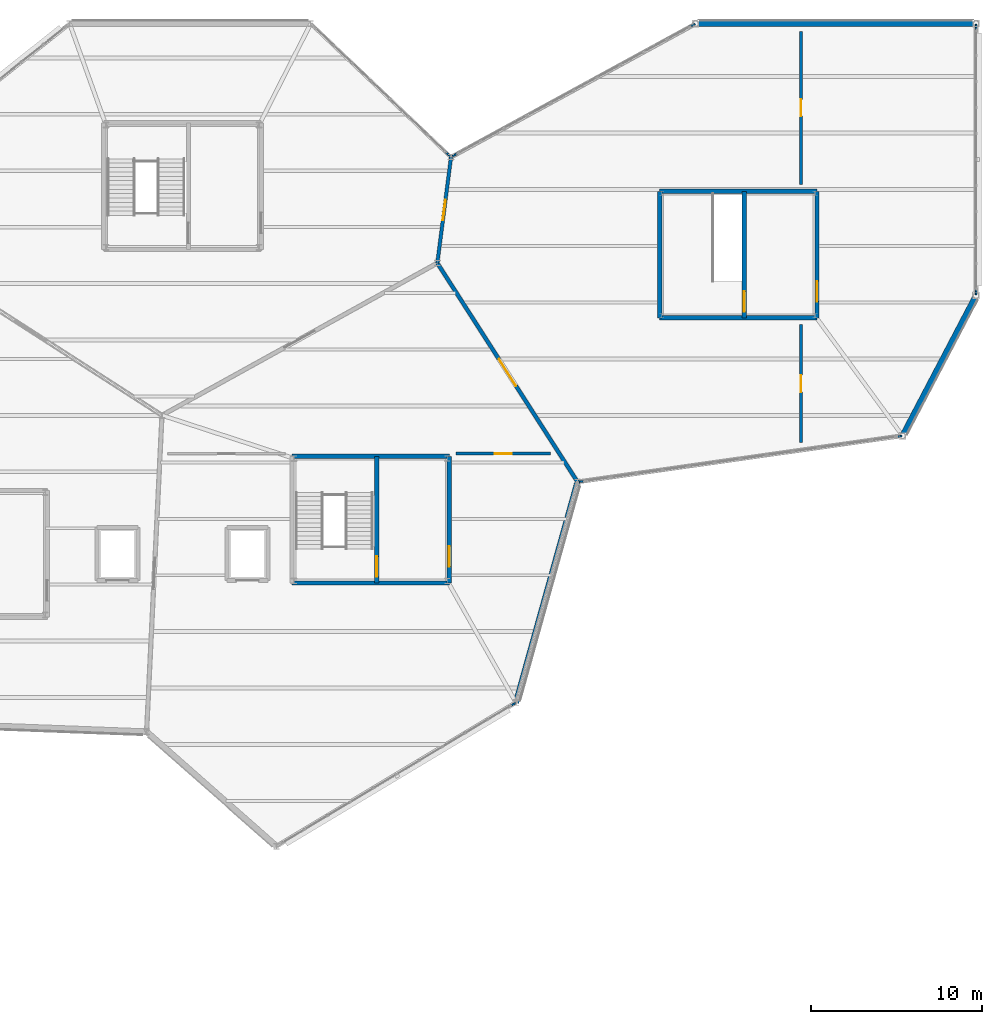
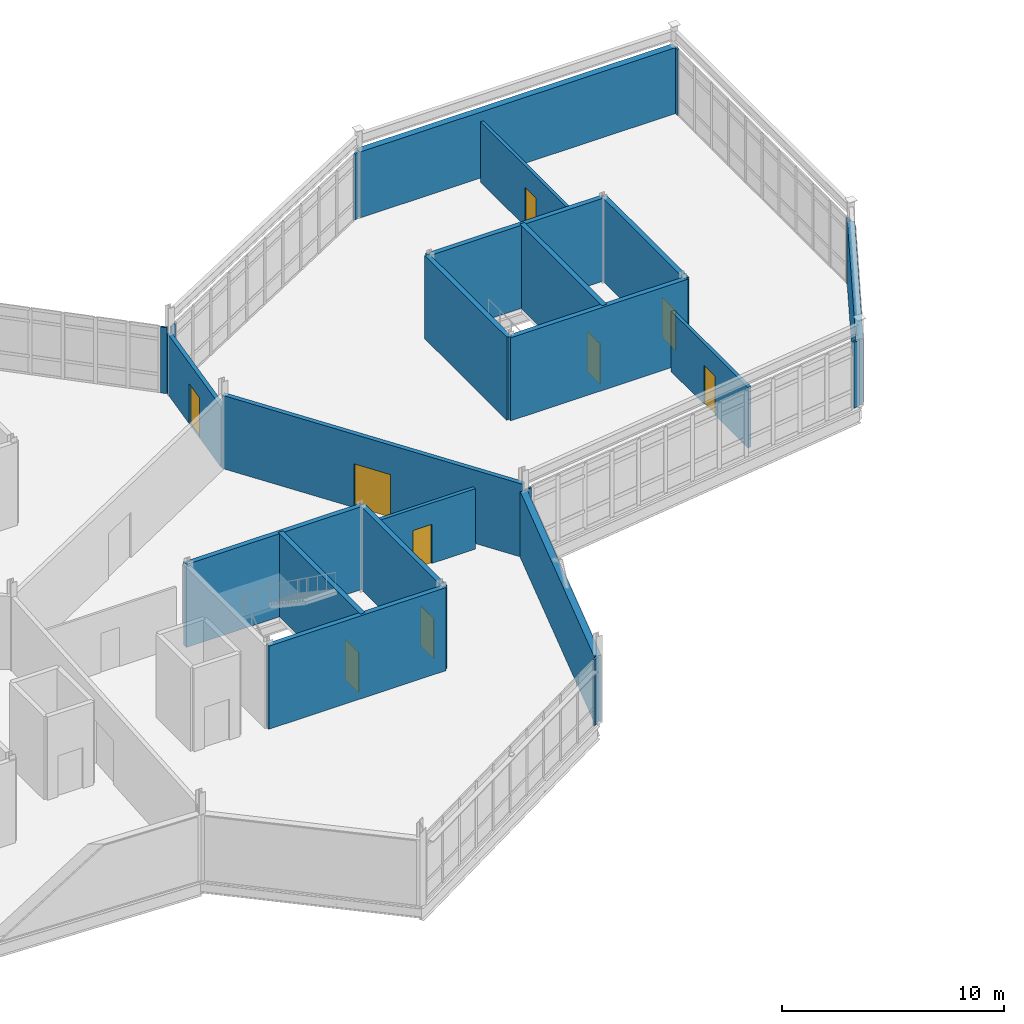
# One storey, part 99 of 114: 25 walls, 9 doors, 9 openings.
"""IFC4 building model written with IfcOpenShell, lengths in metres."""

from ifc_helpers import new_model, si_unit, direction, frame, frame_2d, origin, place, context, subcontext, project, spatial, rectangle, extrude, material, layer, layer_set, type_object, element, fill, save


model = new_model("IFC4")

# Units and contexts
model_context = context("Model", 3, precision=1e-05, world=origin(), true_north=direction((0.0, 1.0)))
body_context = subcontext(model_context, "Body", "Model", "MODEL_VIEW")
ifc_project = project(units=[si_unit("LENGTHUNIT", "METRE"), si_unit("AREAUNIT", "SQUARE_METRE"), si_unit("VOLUMEUNIT", "CUBIC_METRE"), si_unit("PLANEANGLEUNIT", "RADIAN"), si_unit("MASSUNIT", "GRAM", prefix="KILO")], contexts=[model_context])

# Site, building, storey
site_placement = place(None, origin())
site = spatial("IfcSite", under=ifc_project, at=site_placement, CompositionType="ELEMENT")
building_placement = place(site_placement, origin())
building = spatial("IfcBuilding", under=site, at=building_placement, Name="Tameran Prism Museum", CompositionType="ELEMENT")
storey_placement = place(building_placement, frame((0.0, 0.0, 10.199951171875)))
storey = spatial("IfcBuildingStorey", under=building, at=storey_placement, Name="L02", CompositionType="ELEMENT", Elevation=10.199951171875)

# Walls
ifc_material_1 = material(Name="Precast Concrete N40 (40 MPa)", Category="concrete")
ifc_layer_1 = layer(ifc_material_1, 0.094970703125)
ifc_layer_set_1 = layer_set([ifc_layer_1])
wall_type_1 = type_object("IfcWallType", Name="EW-CLOS-095", PredefinedType="SOLIDWALL", material=ifc_layer_set_1)
wall_1_placement = place(storey_placement, frame((139.464111328125, 72.278076171875, 0.0), z_axis=(0.0, 0.0, 1.0), x_axis=(-0.858261853705, -0.513212032668, 0.0)))
element("IfcWall", 1, at=wall_1_placement, inside=storey, type_object=wall_type_1, Name="Facade Corner Closure EW-0275", PredefinedType="SOLIDWALL", context=body_context, shape_type="SweptSolid", body=[
    extrude(rectangle(XDim=0.307861328125, YDim=0.094970703125, at=frame_2d((0.15380859375, 0.0))), origin(), (0.0, 0.0, 1.0), 3.6201171875),
])
wall_2_placement = place(storey_placement, frame((135.403076171875, 104.48193359375, 0.0), z_axis=(0.0, 0.0, 1.0), x_axis=(0.726243974232, -0.687437044311, 0.0)))
element("IfcWall", 2, at=wall_2_placement, inside=storey, type_object=wall_type_1, Name="Facade Corner Closure EW-0279", PredefinedType="SOLIDWALL", context=body_context, shape_type="SweptSolid", body=[
    extrude(rectangle(XDim=0.308349609375, YDim=0.094970703125, at=frame_2d((0.154296875, 0.0))), origin(), (0.0, 0.0, 1.0), 3.6201171875),
])
for number, where, z_axis, x_axis, name in (
    (3, (162.05810546875, 87.89404296875, 0.0), (0.0, 0.0, 1.0), (-0.990232667812, -0.139424759628, 0.0), "Facade Corner Closure EW-0284"),
    (4, (143.506103515625, 85.257080078125, 0.0), (0.0, 0.0, 1.0), (-0.990232667812, -0.139424759628, 0.0), "Facade Corner Closure EW-0285"),
    (5, (166.39990234375, 111.9580078125, 0.0), (0.0, 0.0, 1.0), (0.0, -1.0, 0.0), "Facade Corner Closure EW-0287"),
):
    element("IfcWall", number, at=place(storey_placement, frame(where, z_axis=z_axis, x_axis=x_axis)), inside=storey, type_object=wall_type_1, Name=name, PredefinedType="SOLIDWALL", context=body_context, shape_type="SweptSolid", body=[
        extrude(rectangle(XDim=0.30810546875, YDim=0.094970703125, at=frame_2d((0.154052734375, 0.0))), origin(), (0.0, 0.0, 1.0), 3.6201171875),
    ])
for number, where, z_axis, x_axis, name in (
    (6, (166.39990234375, 96.449951171875, 0.0), (0.0, 0.0, 1.0), (0.0, -1.0, 0.0), "Facade Corner Closure EW-0288"),
    (7, (135.7900390625, 104.2490234375, 0.0), (0.0, 0.0, 1.0), (0.876984894636, 0.480517944077, 0.0), "Facade Corner Closure EW-0290"),
):
    element("IfcWall", number, at=place(storey_placement, frame(where, z_axis=z_axis, x_axis=x_axis)), inside=storey, type_object=wall_type_1, Name=name, PredefinedType="SOLIDWALL", context=body_context, shape_type="SweptSolid", body=[
        extrude(rectangle(XDim=0.307861328125, YDim=0.094970703125, at=frame_2d((0.15380859375, 0.0))), origin(), (0.0, 0.0, 1.0), 3.6201171875),
    ])
wall_3_placement = place(storey_placement, frame((149.693115234375, 111.83203125, 0.0), z_axis=(0.0, 0.0, 1.0), x_axis=(0.876801617046, 0.480852289529, 0.0)))
element("IfcWall", 8, at=wall_3_placement, inside=storey, type_object=wall_type_1, Name="Facade Corner Closure EW-0291", PredefinedType="SOLIDWALL", context=body_context, shape_type="SweptSolid", body=[
    extrude(rectangle(XDim=0.3076171875, YDim=0.094970703125, at=frame_2d((0.15380859375, 0.0))), origin(), (0.0, 0.0, 1.0), 3.6201171875),
])
ifc_material_2 = material(Name="Precast Concrete N40 (40 MPa)", Category="concrete")
ifc_layer_2 = layer(ifc_material_2, 0.340087890625)
ifc_layer_set_2 = layer_set([ifc_layer_2])
wall_type_2 = type_object("IfcWallType", Name="EW-GAL-340", PredefinedType="SOLIDWALL", material=ifc_layer_set_2)
wall_4_placement = place(storey_placement, frame((143.083984375, 85.14208984375, 0.0), z_axis=(0.0, 0.0, 1.0), x_axis=(-0.268810029922, -0.963193214165, 0.0)))
element("IfcWall", 9, at=wall_4_placement, inside=storey, type_object=wall_type_2, Name="Exterior Fluted Precast Wall EW-0277", PredefinedType="SOLIDWALL", context=body_context, shape_type="SweptSolid", body=[
    extrude(rectangle(XDim=13.332763671875, YDim=0.340087890625, at=frame_2d((6.66650390625, 0.0))), origin(), (0.0, 0.0, 1.0), 3.6201171875),
])
wall_5_placement = place(storey_placement, frame((166.39990234375, 96.10009765625, 0.0), z_axis=(0.0, 0.0, 1.0), x_axis=(-0.464385293852, -0.885633275602, 0.0)))
element("IfcWall", 10, at=wall_5_placement, inside=storey, type_object=wall_type_2, Name="Exterior Fluted Precast Wall EW-0286", PredefinedType="SOLIDWALL", context=body_context, shape_type="SweptSolid", body=[
    extrude(rectangle(XDim=9.259033203125, YDim=0.340087890625, at=frame_2d((4.62939453125, 0.0))), origin(), (0.0, 0.0, 1.0), 3.6201171875),
])
wall_6_placement = place(storey_placement, frame((150.0, 112.0, 0.0), z_axis=(0.0, 0.0, 1.0), x_axis=(1.0, 0.0, 0.0)))
element("IfcWall", 11, at=wall_6_placement, inside=storey, type_object=wall_type_2, Name="Exterior Fluted Precast Wall EW-0289", PredefinedType="SOLIDWALL", context=body_context, shape_type="SweptSolid", body=[
    extrude(rectangle(XDim=16.39990234375, YDim=0.340087890625, at=frame_2d((8.199951171875, 0.0))), origin(), (0.0, 0.0, 1.0), 3.6201171875),
])

# Wall, opening, door
ifc_material_3 = material(Name="Concrete N32 (32 MPa)", Category="concrete")
ifc_layer_3 = layer(ifc_material_3, 0.205078125)
ifc_layer_set_3 = layer_set([ifc_layer_3])
wall_type_3 = type_object("IfcWallType", Name="IW-CMP-205", PredefinedType="SOLIDWALL", material=ifc_layer_set_3)
wall_7_placement = place(storey_placement, frame((134.89990234375, 98.0, 0.0), z_axis=(0.0, 0.0, 1.0), x_axis=(0.127980011854, 0.991776747341, 0.0)))
wall_7 = element("IfcWall", 12, at=wall_7_placement, inside=storey, type_object=wall_type_3, Name="Compartment Wall IW-0115", PredefinedType="SOLIDWALL", context=body_context, shape_type="SweptSolid", body=[
    extrude(rectangle(XDim=6.25146484375, YDim=0.205078125, at=frame_2d((3.125732421875, 0.0))), origin(), (0.0, 0.0, 1.0), 3.320068359375),
])
opening_1_placement = place(wall_7_placement, frame((2.52587890625, 0.0, 0.0)))
opening_1 = element("IfcOpeningElement", 13, at=opening_1_placement, cuts=wall_7, Name="Opening ID-0114", PredefinedType="OPENING", context=body_context, shape_type="SweptSolid", body=[
    extrude(rectangle(XDim=1.199951171875, YDim=2.199951171875, at=frame_2d((0.60009765625, 1.10009765625))), frame((0.0, 0.112548828125, 0.0), z_axis=(0.0, -1.0, 0.0), x_axis=(1.0, 0.0, 0.0)), (0.0, 0.0, 1.0), 0.22509765625),
])
ifc_material_4 = material(Name="Fire-Rated Steel Door Leaf and Frame", Category="steel")
door_type_1 = type_object("IfcDoorType", Name="DR-FD-120A", OperationType="NOTDEFINED", PredefinedType="DOOR", material=ifc_material_4)
door_1_placement = place(opening_1_placement, origin())
door_1 = element("IfcDoor", 14, at=door_1_placement, inside=storey, type_object=door_type_1, Name="Compartment Door ID-0114", OperationType="SINGLE_SWING_LEFT", OverallHeight=2.199951171875, OverallWidth=1.199951171875, PredefinedType="DOOR", context=body_context, shape_type="SweptSolid", body=[
    extrude(rectangle(XDim=1.199951171875, YDim=2.199951171875, at=frame_2d((0.60009765625, 1.10009765625))), frame((0.0, 0.02490234375, 0.0), z_axis=(0.0, -1.0, 0.0), x_axis=(1.0, 0.0, 0.0)), (0.0, 0.0, 1.0), 0.050048828125),
])
fill(opening_1, door_1)

ifc_material_5 = material(Name="Concrete N40 (40 MPa)", Category="concrete")
ifc_layer_4 = layer(ifc_material_5, 0.22509765625)
ifc_layer_set_4 = layer_set([ifc_layer_4])
wall_type_4 = type_object("IfcWallType", Name="IW-CMP-225", PredefinedType="SOLIDWALL", material=ifc_layer_set_4)
wall_8_placement = place(storey_placement, frame((143.10009765625, 85.199951171875, 0.0), z_axis=(0.0, 0.0, 1.0), x_axis=(-0.539434641352, 0.842027474439, 0.0)))
wall_8 = element("IfcWall", 15, at=wall_8_placement, inside=storey, type_object=wall_type_4, Name="Compartment Wall IW-0114", PredefinedType="SOLIDWALL", context=body_context, shape_type="SweptSolid", body=[
    extrude(rectangle(XDim=15.201416015625, YDim=0.22509765625, at=frame_2d((7.6005859375, 0.0))), origin(), (0.0, 0.0, 1.0), 4.02001953125),
])
opening_2_placement = place(wall_8_placement, frame((6.676025390625, 0.0, 0.0)))
opening_2 = element("IfcOpeningElement", 16, at=opening_2_placement, cuts=wall_8, Name="Opening ID-0113", PredefinedType="OPENING", context=body_context, shape_type="SweptSolid", body=[
    extrude(rectangle(XDim=1.85009765625, YDim=2.39990234375, at=frame_2d((0.925048828125, 1.199951171875))), frame((0.0, 0.12255859375, 0.0), z_axis=(0.0, -1.0, 0.0), x_axis=(1.0, 0.0, 0.0)), (0.0, 0.0, 1.0), 0.2451171875),
])
ifc_material_6 = material(Name="Fire-Rated Steel Door Leaf and Frame", Category="steel")
door_type_2 = type_object("IfcDoorType", Name="DR-GAL-185", OperationType="DOUBLE_DOOR_SINGLE_SWING", PredefinedType="DOOR", material=ifc_material_6)
door_2_placement = place(opening_2_placement, origin())
door_2 = element("IfcDoor", 17, at=door_2_placement, inside=storey, type_object=door_type_2, Name="Compartment Door ID-0113", OperationType="DOUBLE_DOOR_SINGLE_SWING", OverallHeight=2.39990234375, OverallWidth=1.85009765625, PredefinedType="DOOR", context=body_context, shape_type="SweptSolid", body=[
    extrude(rectangle(XDim=1.85009765625, YDim=2.39990234375, at=frame_2d((0.925048828125, 1.199951171875))), frame((0.0, 0.02490234375, 0.0), z_axis=(0.0, -1.0, 0.0), x_axis=(1.0, 0.0, 0.0)), (0.0, 0.0, 1.0), 0.050048828125),
])
fill(opening_2, door_2)

# Walls
ifc_material_7 = material(Name="Concrete N40 (40 MPa)", Category="concrete")
ifc_layer_5 = layer(ifc_material_7, 0.25)
ifc_layer_set_5 = layer_set([ifc_layer_5])
wall_type_5 = type_object("IfcWallType", Name="IW-COR-250", PredefinedType="SHEAR", material=ifc_layer_set_5)
for number, where, z_axis, x_axis, name in (
    (18, (126.39990234375, 86.699951171875, 0.0), (0.0, 0.0, 1.0), (1.0, 0.0, 0.0), "Core Shear Wall CW-2-L02-N"),
    (19, (135.60009765625, 79.300048828125, 0.0), (0.0, 0.0, 1.0), (-1.0, 0.0, 0.0), "Core Shear Wall CW-2-L02-S"),
):
    element("IfcWall", number, at=place(storey_placement, frame(where, z_axis=z_axis, x_axis=x_axis)), inside=storey, type_object=wall_type_5, Name=name, PredefinedType="SHEAR", context=body_context, shape_type="SweptSolid", body=[
        extrude(rectangle(XDim=9.2001953125, YDim=0.25, at=frame_2d((4.60009765625, 0.0))), origin(), (0.0, 0.0, 1.0), 4.56005859375),
    ])

# Wall, opening, door
wall_9_placement = place(storey_placement, frame((135.60009765625, 86.699951171875, 0.0), z_axis=(0.0, 0.0, 1.0), x_axis=(0.0, -1.0, 0.0)))
wall_9 = element("IfcWall", 20, at=wall_9_placement, inside=storey, type_object=wall_type_5, Name="Core Shear Wall CW-2-L02-E", PredefinedType="SHEAR", context=body_context, shape_type="SweptSolid", body=[
    extrude(rectangle(XDim=7.39990234375, YDim=0.25, at=frame_2d((3.699951171875, 0.0))), origin(), (0.0, 0.0, 1.0), 4.56005859375),
])
opening_3_placement = place(wall_9_placement, frame((5.25, 0.0, 0.0)))
opening_3 = element("IfcOpeningElement", 21, at=opening_3_placement, cuts=wall_9, Name="Opening FD-0189", PredefinedType="OPENING", context=body_context, shape_type="SweptSolid", body=[
    extrude(rectangle(XDim=1.199951171875, YDim=2.199951171875, at=frame_2d((0.60009765625, 1.10009765625))), frame((0.0, 0.135009765625, 0.0), z_axis=(0.0, -1.0, 0.0), x_axis=(1.0, 0.0, 0.0)), (0.0, 0.0, 1.0), 0.27001953125),
])
door_3_placement = place(opening_3_placement, origin())
door_3 = element("IfcDoor", 22, at=door_3_placement, inside=storey, type_object=door_type_1, Name="Core Fire Door FD-0189", OperationType="SINGLE_SWING_LEFT", OverallHeight=2.199951171875, OverallWidth=1.199951171875, PredefinedType="DOOR", context=body_context, shape_type="SweptSolid", body=[
    extrude(rectangle(XDim=1.199951171875, YDim=2.199951171875, at=frame_2d((0.60009765625, 1.10009765625))), frame((0.0, 0.02490234375, 0.0), z_axis=(0.0, -1.0, 0.0), x_axis=(1.0, 0.0, 0.0)), (0.0, 0.0, 1.0), 0.050048828125),
])
fill(opening_3, door_3)

wall_10_placement = place(storey_placement, frame((131.35009765625, 86.699951171875, 0.0), z_axis=(0.0, 0.0, 1.0), x_axis=(0.0, -1.0, 0.0)))
wall_10 = element("IfcWall", 23, at=wall_10_placement, inside=storey, type_object=wall_type_5, Name="Core Shear Wall CW-2-L02-M", PredefinedType="SHEAR", context=body_context, shape_type="SweptSolid", body=[
    extrude(rectangle(XDim=7.39990234375, YDim=0.25, at=frame_2d((3.699951171875, 0.0))), origin(), (0.0, 0.0, 1.0), 4.56005859375),
])
opening_4_placement = place(wall_10_placement, frame((5.85009765625, 0.0, 0.0)))
opening_4 = element("IfcOpeningElement", 24, at=opening_4_placement, cuts=wall_10, Name="Opening FD-0190", PredefinedType="OPENING", context=body_context, shape_type="SweptSolid", body=[
    extrude(rectangle(XDim=1.199951171875, YDim=2.199951171875, at=frame_2d((0.60009765625, 1.10009765625))), frame((0.0, 0.135009765625, 0.0), z_axis=(0.0, -1.0, 0.0), x_axis=(1.0, 0.0, 0.0)), (0.0, 0.0, 1.0), 0.27001953125),
])
door_4_placement = place(opening_4_placement, origin())
door_4 = element("IfcDoor", 25, at=door_4_placement, inside=storey, type_object=door_type_1, Name="Core Fire Door FD-0190", OperationType="SINGLE_SWING_RIGHT", OverallHeight=2.199951171875, OverallWidth=1.199951171875, PredefinedType="DOOR", context=body_context, shape_type="SweptSolid", body=[
    extrude(rectangle(XDim=1.199951171875, YDim=2.199951171875, at=frame_2d((0.60009765625, 1.10009765625))), frame((0.0, 0.02490234375, 0.0), z_axis=(0.0, -1.0, 0.0), x_axis=(1.0, 0.0, 0.0)), (0.0, 0.0, 1.0), 0.050048828125),
])
fill(opening_4, door_4)

# Walls
wall_11_placement = place(storey_placement, frame((147.89990234375, 94.800048828125, 0.0), z_axis=(0.0, 0.0, 1.0), x_axis=(0.0, 1.0, 0.0)))
element("IfcWall", 26, at=wall_11_placement, inside=storey, type_object=wall_type_5, Name="Core Shear Wall CW-11-L02-W", PredefinedType="SHEAR", context=body_context, shape_type="SweptSolid", body=[
    extrude(rectangle(XDim=7.39990234375, YDim=0.25, at=frame_2d((3.699951171875, 0.0))), origin(), (0.0, 0.0, 1.0), 4.56005859375),
])
for number, where, z_axis, x_axis, name in (
    (27, (147.89990234375, 102.199951171875, 0.0), (0.0, 0.0, 1.0), (1.0, 0.0, 0.0), "Core Shear Wall CW-11-L02-N"),
    (28, (157.10009765625, 94.800048828125, 0.0), (0.0, 0.0, 1.0), (-1.0, 0.0, 0.0), "Core Shear Wall CW-11-L02-S"),
):
    element("IfcWall", number, at=place(storey_placement, frame(where, z_axis=z_axis, x_axis=x_axis)), inside=storey, type_object=wall_type_5, Name=name, PredefinedType="SHEAR", context=body_context, shape_type="SweptSolid", body=[
        extrude(rectangle(XDim=9.2001953125, YDim=0.25, at=frame_2d((4.60009765625, 0.0))), origin(), (0.0, 0.0, 1.0), 4.56005859375),
    ])

# Wall, opening, door
wall_12_placement = place(storey_placement, frame((157.10009765625, 102.199951171875, 0.0), z_axis=(0.0, 0.0, 1.0), x_axis=(0.0, -1.0, 0.0)))
wall_12 = element("IfcWall", 29, at=wall_12_placement, inside=storey, type_object=wall_type_5, Name="Core Shear Wall CW-11-L02-E", PredefinedType="SHEAR", context=body_context, shape_type="SweptSolid", body=[
    extrude(rectangle(XDim=7.39990234375, YDim=0.25, at=frame_2d((3.699951171875, 0.0))), origin(), (0.0, 0.0, 1.0), 4.56005859375),
])
opening_5_placement = place(wall_12_placement, frame((5.25, 0.0, 0.0)))
opening_5 = element("IfcOpeningElement", 30, at=opening_5_placement, cuts=wall_12, Name="Opening FD-0275", PredefinedType="OPENING", context=body_context, shape_type="SweptSolid", body=[
    extrude(rectangle(XDim=1.199951171875, YDim=2.199951171875, at=frame_2d((0.60009765625, 1.10009765625))), frame((0.0, 0.135009765625, 0.0), z_axis=(0.0, -1.0, 0.0), x_axis=(1.0, 0.0, 0.0)), (0.0, 0.0, 1.0), 0.27001953125),
])
door_5_placement = place(opening_5_placement, origin())
door_5 = element("IfcDoor", 31, at=door_5_placement, inside=storey, type_object=door_type_1, Name="Core Fire Door FD-0275", OperationType="SINGLE_SWING_LEFT", OverallHeight=2.199951171875, OverallWidth=1.199951171875, PredefinedType="DOOR", context=body_context, shape_type="SweptSolid", body=[
    extrude(rectangle(XDim=1.199951171875, YDim=2.199951171875, at=frame_2d((0.60009765625, 1.10009765625))), frame((0.0, 0.02490234375, 0.0), z_axis=(0.0, -1.0, 0.0), x_axis=(1.0, 0.0, 0.0)), (0.0, 0.0, 1.0), 0.050048828125),
])
fill(opening_5, door_5)

wall_13_placement = place(storey_placement, frame((152.85009765625, 102.199951171875, 0.0), z_axis=(0.0, 0.0, 1.0), x_axis=(0.0, -1.0, 0.0)))
wall_13 = element("IfcWall", 32, at=wall_13_placement, inside=storey, type_object=wall_type_5, Name="Core Shear Wall CW-11-L02-M", PredefinedType="SHEAR", context=body_context, shape_type="SweptSolid", body=[
    extrude(rectangle(XDim=7.39990234375, YDim=0.25, at=frame_2d((3.699951171875, 0.0))), origin(), (0.0, 0.0, 1.0), 4.56005859375),
])
opening_6_placement = place(wall_13_placement, frame((5.85009765625, 0.0, 0.0)))
opening_6 = element("IfcOpeningElement", 33, at=opening_6_placement, cuts=wall_13, Name="Opening FD-0276", PredefinedType="OPENING", context=body_context, shape_type="SweptSolid", body=[
    extrude(rectangle(XDim=1.199951171875, YDim=2.199951171875, at=frame_2d((0.60009765625, 1.10009765625))), frame((0.0, 0.135009765625, 0.0), z_axis=(0.0, -1.0, 0.0), x_axis=(1.0, 0.0, 0.0)), (0.0, 0.0, 1.0), 0.27001953125),
])
door_6_placement = place(opening_6_placement, origin())
door_6 = element("IfcDoor", 34, at=door_6_placement, inside=storey, type_object=door_type_1, Name="Core Fire Door FD-0276", OperationType="SINGLE_SWING_RIGHT", OverallHeight=2.199951171875, OverallWidth=1.199951171875, PredefinedType="DOOR", context=body_context, shape_type="SweptSolid", body=[
    extrude(rectangle(XDim=1.199951171875, YDim=2.199951171875, at=frame_2d((0.60009765625, 1.10009765625))), frame((0.0, 0.02490234375, 0.0), z_axis=(0.0, -1.0, 0.0), x_axis=(1.0, 0.0, 0.0)), (0.0, 0.0, 1.0), 0.050048828125),
])
fill(opening_6, door_6)

ifc_material_8 = material(Name="Fire-Rated Corridor Stud Partition")
ifc_layer_6 = layer(ifc_material_8, 0.159912109375)
ifc_layer_set_6 = layer_set([ifc_layer_6])
wall_type_6 = type_object("IfcWallType", Name="IW-PRT-160", PredefinedType="PARTITIONING", material=ifc_layer_set_6)
wall_14_placement = place(storey_placement, frame((156.1640625, 102.60009765625, 0.0), z_axis=(0.0, 0.0, 1.0), x_axis=(0.0, 1.0, 0.0)))
wall_14 = element("IfcWall", 35, at=wall_14_placement, inside=storey, type_object=wall_type_6, Name="Internal Partition PT-0130", PredefinedType="PARTITIONING", context=body_context, shape_type="SweptSolid", body=[
    extrude(rectangle(XDim=8.949951171875, YDim=0.159912109375, at=frame_2d((4.47509765625, 0.0))), origin(), (0.0, 0.0, 1.0), 3.320068359375),
])
opening_7_placement = place(wall_14_placement, frame((3.985107421875, 0.0, 0.0)))
opening_7 = element("IfcOpeningElement", 36, at=opening_7_placement, cuts=wall_14, Name="Opening ID-0129", PredefinedType="OPENING", context=body_context, shape_type="SweptSolid", body=[
    extrude(rectangle(XDim=0.97998046875, YDim=2.14990234375, at=frame_2d((0.489990234375, 1.074951171875))), frame((0.0, 0.08984375, 0.0), z_axis=(0.0, -1.0, 0.0), x_axis=(1.0, 0.0, 0.0)), (0.0, 0.0, 1.0), 0.179931640625),
])
ifc_material_9 = material(Name="Acoustic Solid-Core Timber Door", Category="wood")
door_type_3 = type_object("IfcDoorType", Name="DR-INT-098", OperationType="NOTDEFINED", PredefinedType="DOOR", material=ifc_material_9)
door_7_placement = place(opening_7_placement, origin())
door_7 = element("IfcDoor", 37, at=door_7_placement, inside=storey, type_object=door_type_3, Name="Interior Room Door ID-0129", OperationType="SINGLE_SWING_RIGHT", OverallHeight=2.14990234375, OverallWidth=0.97998046875, PredefinedType="DOOR", context=body_context, shape_type="SweptSolid", body=[
    extrude(rectangle(XDim=0.97998046875, YDim=2.14990234375, at=frame_2d((0.489990234375, 1.074951171875))), frame((0.0, 0.02490234375, 0.0), z_axis=(0.0, -1.0, 0.0), x_axis=(1.0, 0.0, 0.0)), (0.0, 0.0, 1.0), 0.050048828125),
])
fill(opening_7, door_7)

ifc_material_10 = material(Name="Gallery Plywood-Backed Stud Partition", Category="wood")
ifc_layer_7 = layer(ifc_material_10, 0.169921875)
ifc_layer_set_7 = layer_set([ifc_layer_7])
wall_type_7 = type_object("IfcWallType", Name="IW-PRT-170", PredefinedType="PARTITIONING", material=ifc_layer_set_7)
wall_15_placement = place(storey_placement, frame((156.1640625, 87.510986328125, 0.0), z_axis=(0.0, 0.0, 1.0), x_axis=(0.0, 1.0, 0.0)))
wall_15 = element("IfcWall", 38, at=wall_15_placement, inside=storey, type_object=wall_type_7, Name="Internal Partition PT-0129", PredefinedType="PARTITIONING", context=body_context, shape_type="SweptSolid", body=[
    extrude(rectangle(XDim=6.888916015625, YDim=0.169921875, at=frame_2d((3.4443359375, 0.0))), origin(), (0.0, 0.0, 1.0), 3.320068359375),
])
opening_8_placement = place(wall_15_placement, frame((2.945068359375, 0.0, 0.0)))
opening_8 = element("IfcOpeningElement", 39, at=opening_8_placement, cuts=wall_15, Name="Opening ID-0128", PredefinedType="OPENING", context=body_context, shape_type="SweptSolid", body=[
    extrude(rectangle(XDim=1.0, YDim=2.14990234375, at=frame_2d((0.5, 1.074951171875))), frame((0.0, 0.094970703125, 0.0), z_axis=(0.0, -1.0, 0.0), x_axis=(1.0, 0.0, 0.0)), (0.0, 0.0, 1.0), 0.18994140625),
])
ifc_material_11 = material(Name="Acoustic Solid-Core Timber Door", Category="wood")
door_type_4 = type_object("IfcDoorType", Name="DR-INT-100", OperationType="NOTDEFINED", PredefinedType="DOOR", material=ifc_material_11)
door_8_placement = place(opening_8_placement, origin())
door_8 = element("IfcDoor", 40, at=door_8_placement, inside=storey, type_object=door_type_4, Name="Interior Room Door ID-0128", OperationType="SINGLE_SWING_LEFT", OverallHeight=2.14990234375, OverallWidth=1.0, PredefinedType="DOOR", context=body_context, shape_type="SweptSolid", body=[
    extrude(rectangle(XDim=1.0, YDim=2.14990234375, at=frame_2d((0.5, 1.074951171875))), frame((0.0, 0.02490234375, 0.0), z_axis=(0.0, -1.0, 0.0), x_axis=(1.0, 0.0, 0.0)), (0.0, 0.0, 1.0), 0.050048828125),
])
fill(opening_8, door_8)

ifc_material_12 = material(Name="Acoustic Double Stud Plasterboard")
ifc_layer_8 = layer(ifc_material_12, 0.18505859375)
ifc_layer_set_8 = layer_set([ifc_layer_8])
wall_type_8 = type_object("IfcWallType", Name="IW-PRT-185", PredefinedType="PARTITIONING", material=ifc_layer_set_8)
wall_16_placement = place(storey_placement, frame((136.0, 86.85888671875, 0.0), z_axis=(0.0, 0.0, 1.0), x_axis=(1.0, 0.0, 0.0)))
wall_16 = element("IfcWall", 41, at=wall_16_placement, inside=storey, type_object=wall_type_8, Name="Internal Partition PT-0128", PredefinedType="PARTITIONING", context=body_context, shape_type="SweptSolid", body=[
    extrude(rectangle(XDim=5.5029296875, YDim=0.18505859375, at=frame_2d((2.75146484375, 0.0))), origin(), (0.0, 0.0, 1.0), 3.320068359375),
])
opening_9_placement = place(wall_16_placement, frame((2.260986328125, 0.0, 0.0)))
opening_9 = element("IfcOpeningElement", 42, at=opening_9_placement, cuts=wall_16, Name="Opening ID-0127", PredefinedType="OPENING", context=body_context, shape_type="SweptSolid", body=[
    extrude(rectangle(XDim=0.97998046875, YDim=2.14990234375, at=frame_2d((0.489990234375, 1.074951171875))), frame((0.0, 0.1025390625, 0.0), z_axis=(0.0, -1.0, 0.0), x_axis=(1.0, 0.0, 0.0)), (0.0, 0.0, 1.0), 0.205078125),
])
door_9_placement = place(opening_9_placement, origin())
door_9 = element("IfcDoor", 43, at=door_9_placement, inside=storey, type_object=door_type_3, Name="Interior Room Door ID-0127", OperationType="SINGLE_SWING_RIGHT", OverallHeight=2.14990234375, OverallWidth=0.97998046875, PredefinedType="DOOR", context=body_context, shape_type="SweptSolid", body=[
    extrude(rectangle(XDim=0.97998046875, YDim=2.14990234375, at=frame_2d((0.489990234375, 1.074951171875))), frame((0.0, 0.02490234375, 0.0), z_axis=(0.0, -1.0, 0.0), x_axis=(1.0, 0.0, 0.0)), (0.0, 0.0, 1.0), 0.050048828125),
])
fill(opening_9, door_9)

save(model, "model.ifc")
